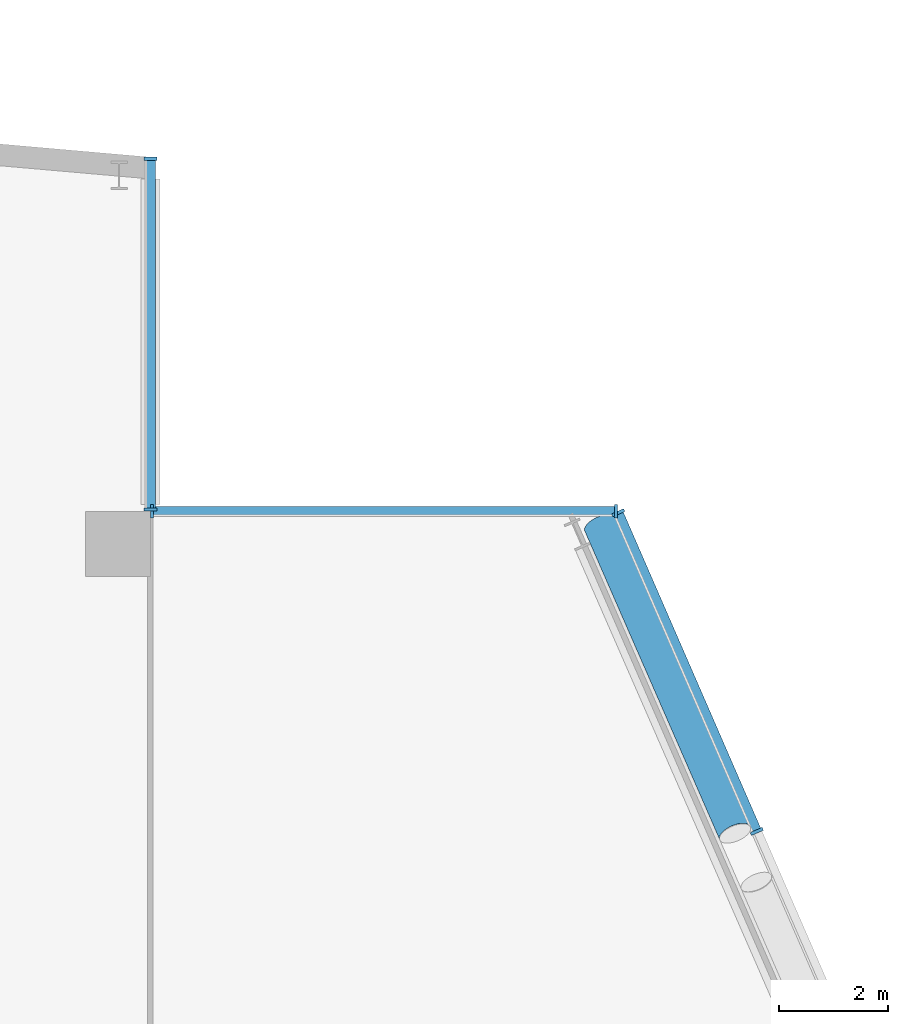
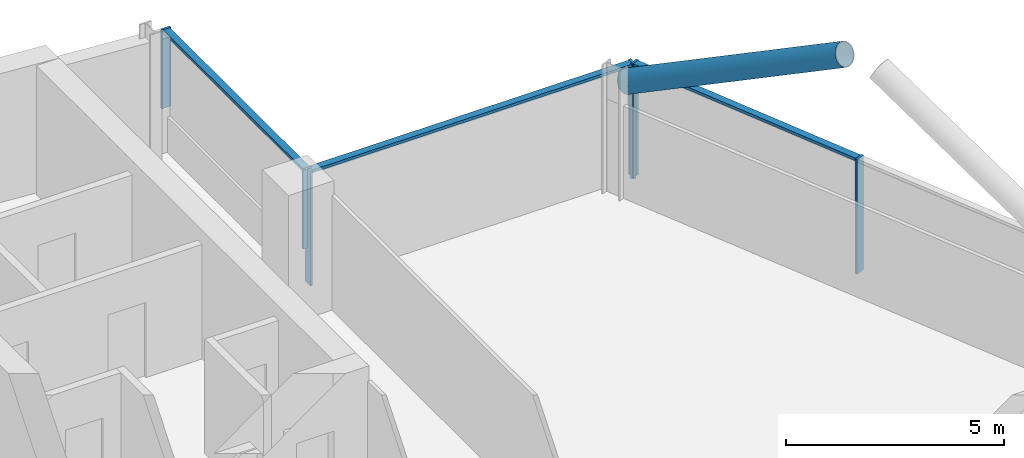
# One storey, part 11 of 27: 10 members, 3 elements without a shape of their own.
"""IFC4 building model written with IfcOpenShell, lengths in metres."""

from ifc_helpers import new_model, si_unit, direction, frame, origin, origin_2d, place, context, subcontext, project, spatial, rectangle, hollow_circle, extrude, material, material_profile, profile_set, type_object, element, aggregate, save


model = new_model("IFC4")

# Units and contexts
model_context = context("Model", 3, precision=1e-05, world=origin(), true_north=direction((0.0, 1.0)))
body_context = subcontext(model_context, "Body", "Model", "MODEL_VIEW")
ifc_project = project(units=[si_unit("LENGTHUNIT", "METRE"), si_unit("AREAUNIT", "SQUARE_METRE"), si_unit("VOLUMEUNIT", "CUBIC_METRE"), si_unit("PLANEANGLEUNIT", "RADIAN"), si_unit("MASSUNIT", "GRAM", prefix="KILO")], contexts=[model_context])

# Site, building, storey
site_placement = place(None, origin())
site = spatial("IfcSite", under=ifc_project, at=site_placement, CompositionType="ELEMENT")
building_placement = place(site_placement, origin())
building = spatial("IfcBuilding", under=site, at=building_placement, Name="Wharfspan Tower", CompositionType="ELEMENT")
storey_placement = place(building_placement, frame((0.0, 0.0, 210.699951)))
storey = spatial("IfcBuildingStorey", under=building, at=storey_placement, Name="L52", CompositionType="ELEMENT", Elevation=210.699951)

# Curtain wall, members
ifc_material_1 = material(Name="Aluminium 6063-T6", Category="aluminium")
curtain_wall_type = type_object("IfcCurtainWallType", Name="CURTAIN WALL PROW AND END", PredefinedType="NOTDEFINED", material=ifc_material_1)
curtain_wall_1_placement = place(storey_placement, origin())
curtain_wall_1 = element("IfcCurtainWall", 1, at=curtain_wall_1_placement, inside=storey, type_object=curtain_wall_type, Name="Curtain wall E", PredefinedType="NOTDEFINED")
ifc_material_profile_1 = material_profile(ifc_material_1, rectangle(XDim=0.23999, YDim=0.060059, at=origin_2d()))
ifc_profile_set_1 = profile_set([ifc_material_profile_1], Name="Aluminium 6063-T6")
member_type_1 = type_object("IfcMemberType", Name="MULLION PROW AND END 60x240", PredefinedType="MULLION", material=ifc_profile_set_1)
member_1_placement = place(storey_placement, frame((72.173828, 36.100098, 0.0), z_axis=(0.0, 0.0, 1.0), x_axis=(-0.917072, -0.398727, 0.0)))
member_1 = element("IfcMember", 2, at=member_1_placement, type_object=member_type_1, Name="Curtain wall E mullion 6", PredefinedType="MULLION", context=body_context, shape_type="SweptSolid", body=[
    extrude(rectangle(XDim=0.23999, YDim=0.060059, at=origin_2d()), origin(), (0.0, 0.0, 1.0), 3.199951),
])
member_2_placement = place(storey_placement, frame((69.620605, 41.972412, 0.0), z_axis=(0.0, 0.0, 1.0), x_axis=(-0.917072, -0.398727, 0.0)))
member_2 = element("IfcMember", 3, at=member_2_placement, type_object=member_type_1, Name="Curtain wall E mullion 7", PredefinedType="MULLION", context=body_context, shape_type="SweptSolid", body=[
    extrude(rectangle(XDim=0.23999, YDim=0.060059, at=origin_2d()), origin(), (0.0, 0.0, 1.0), 3.199951),
])

curtain_wall_2_placement = place(storey_placement, origin())
curtain_wall_2 = element("IfcCurtainWall", 4, at=curtain_wall_2_placement, inside=storey, type_object=curtain_wall_type, Name="Curtain wall NRE-H", PredefinedType="NOTDEFINED")
member_3_placement = place(storey_placement, frame((69.578613, 42.0, 0.0), z_axis=(0.0, 0.0, 1.0), x_axis=(0.0, -1.0, 0.0)))
member_3 = element("IfcMember", 5, at=member_3_placement, type_object=member_type_1, Name="Curtain wall NRE-H mullion 1", PredefinedType="MULLION", context=body_context, shape_type="SweptSolid", body=[
    extrude(rectangle(XDim=0.23999, YDim=0.060059, at=origin_2d()), origin(), (0.0, 0.0, 1.0), 3.199951),
])
member_4_placement = place(storey_placement, frame((61.030029, 42.0, 0.0), z_axis=(0.0, 0.0, 1.0), x_axis=(0.0, -1.0, 0.0)))
member_4 = element("IfcMember", 6, at=member_4_placement, type_object=member_type_1, Name="Curtain wall NRE-H mullion 2", PredefinedType="MULLION", context=body_context, shape_type="SweptSolid", body=[
    extrude(rectangle(XDim=0.23999, YDim=0.060059, at=origin_2d()), origin(), (0.0, 0.0, 1.0), 3.199951),
])

curtain_wall_3_placement = place(storey_placement, origin())
curtain_wall_3 = element("IfcCurtainWall", 7, at=curtain_wall_3_placement, inside=storey, type_object=curtain_wall_type, Name="Curtain wall NRE-V", PredefinedType="NOTDEFINED")
member_5_placement = place(storey_placement, frame((61.0, 42.030029, 1.0), z_axis=(0.0, 0.0, 1.0), x_axis=(-1.0, 0.0, 0.0)))
member_5 = element("IfcMember", 8, at=member_5_placement, type_object=member_type_1, Name="Curtain wall NRE-V mullion 1", PredefinedType="MULLION", context=body_context, shape_type="SweptSolid", body=[
    extrude(rectangle(XDim=0.23999, YDim=0.060059, at=origin_2d()), origin(), (0.0, 0.0, 1.0), 2.199951),
])
member_6_placement = place(storey_placement, frame((61.0, 48.494873, 1.0), z_axis=(0.0, 0.0, 1.0), x_axis=(-1.0, 0.0, 0.0)))
member_6 = element("IfcMember", 9, at=member_6_placement, type_object=member_type_1, Name="Curtain wall NRE-V mullion 2", PredefinedType="MULLION", context=body_context, shape_type="SweptSolid", body=[
    extrude(rectangle(XDim=0.23999, YDim=0.060059, at=origin_2d()), origin(), (0.0, 0.0, 1.0), 2.199951),
])

# Member
ifc_material_2 = material(Name="Steel S460NH", Category="steel")
ifc_material_profile_2 = material_profile(ifc_material_2, hollow_circle(Radius=0.304932, WallThickness=0.024902, at=origin_2d()))
ifc_profile_set_2 = profile_set([ifc_material_profile_2], Name="Steel S460NH")
member_type_2 = type_object("IfcMemberType", Name="Mega brace CHS 610x25", PredefinedType="BRACE", material=ifc_profile_set_2)
member_7_placement = place(storey_placement, frame((69.284424, 41.753662, 2.900146), z_axis=(0.352909, -0.807115, 0.473307), x_axis=(0.916238, 0.400621, -3e-06)))
element("IfcMember", 10, at=member_7_placement, inside=storey, type_object=member_type_2, Name="Mega brace E6 L53 part 3", PredefinedType="BRACE", context=body_context, shape_type="SweptSolid", body=[
    extrude(hollow_circle(Radius=0.304932, WallThickness=0.024902, at=origin_2d()), origin(), (0.0, 0.0, 1.0), 7.04248),
])

ifc_material_profile_3 = material_profile(ifc_material_1, rectangle(XDim=0.179932, YDim=0.080078, at=origin_2d()))
ifc_profile_set_3 = profile_set([ifc_material_profile_3], Name="Aluminium 6063-T6")
member_type_3 = type_object("IfcMemberType", Name="TRANSOM PROW AND END 80x180", PredefinedType="USERDEFINED", material=ifc_profile_set_3)
member_8_placement = place(storey_placement, frame((72.161865, 36.127441, 3.160156), z_axis=(-0.398712, 0.917076, 0.0), x_axis=(-0.917076, -0.398712, 0.0)))
member_8 = element("IfcMember", 11, at=member_8_placement, type_object=member_type_3, Name="Curtain wall E transom 6", ObjectType="TRANSOM", PredefinedType="USERDEFINED", context=body_context, shape_type="SweptSolid", body=[
    extrude(rectangle(XDim=0.179932, YDim=0.080078, at=origin_2d()), origin(), (0.0, 0.0, 1.0), 6.34375),
])

aggregate(curtain_wall_1, [member_1, member_2, member_8])

member_9_placement = place(storey_placement, frame((69.548584, 42.0, 3.160156), z_axis=(-1.0, 0.0, 0.0), x_axis=(0.0, -1.0, 0.0)))
member_9 = element("IfcMember", 12, at=member_9_placement, type_object=member_type_3, Name="Curtain wall NRE-H transom 1", ObjectType="TRANSOM", PredefinedType="USERDEFINED", context=body_context, shape_type="SweptSolid", body=[
    extrude(rectangle(XDim=0.179932, YDim=0.080078, at=origin_2d()), origin(), (0.0, 0.0, 1.0), 8.488525),
])

aggregate(curtain_wall_2, [member_3, member_4, member_9])

member_10_placement = place(storey_placement, frame((61.0, 42.060059, 3.160156), z_axis=(0.0, 1.0, 0.0), x_axis=(-1.0, 0.0, 0.0)))
member_10 = element("IfcMember", 13, at=member_10_placement, type_object=member_type_3, Name="Curtain wall NRE-V transom 1", ObjectType="TRANSOM", PredefinedType="USERDEFINED", context=body_context, shape_type="SweptSolid", body=[
    extrude(rectangle(XDim=0.179932, YDim=0.080078, at=origin_2d()), origin(), (0.0, 0.0, 1.0), 6.404785),
])

aggregate(curtain_wall_3, [member_5, member_6, member_10])

save(model, "model.ifc")
